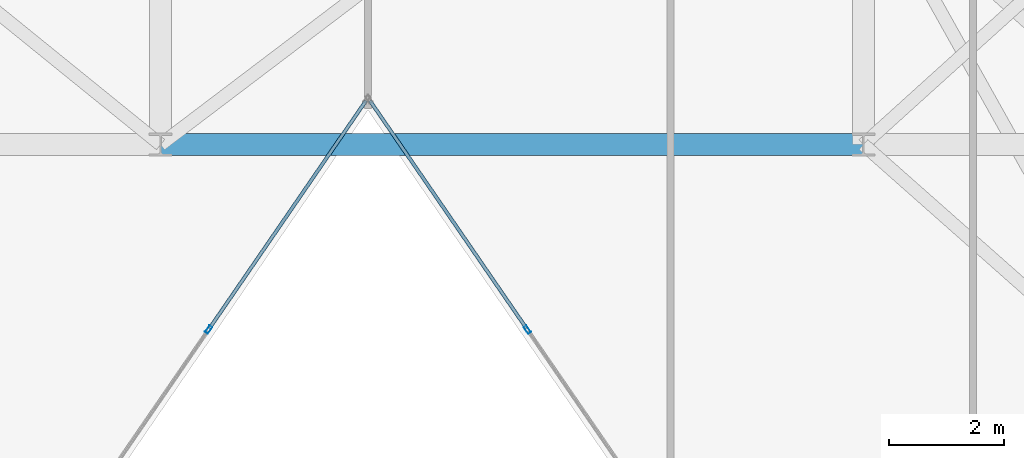
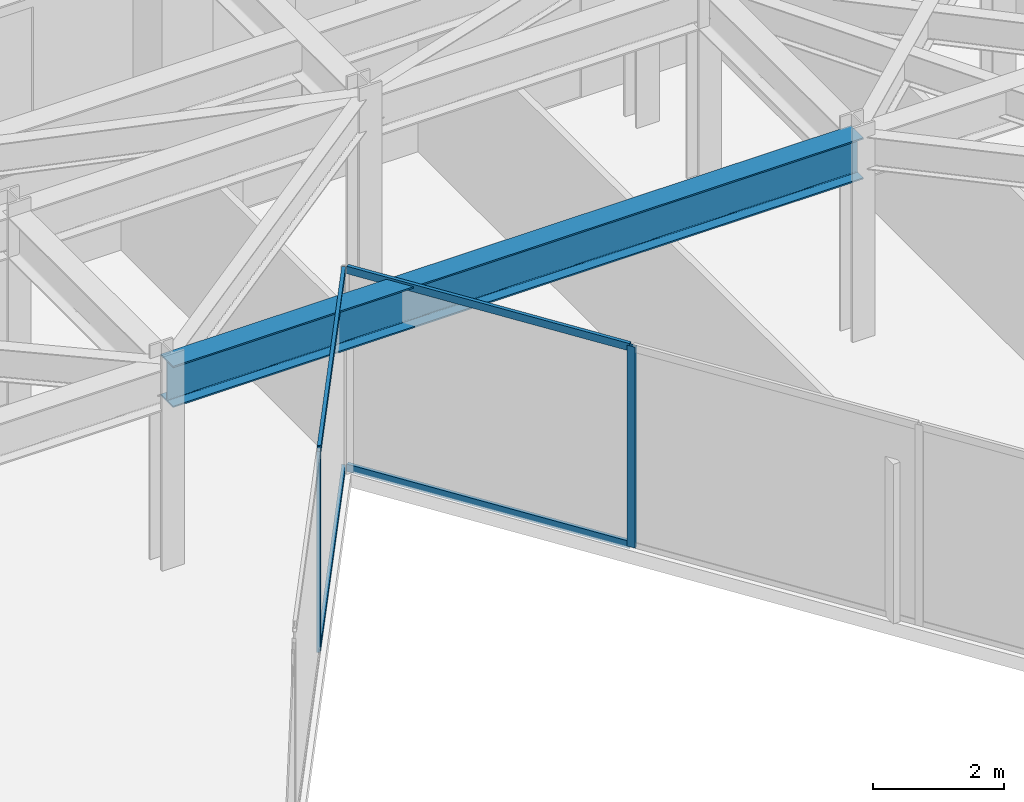
# One storey, part 6 of 21: 6 members, 1 beam, 2 elements without a shape of their own.
"""IFC4 building model written with IfcOpenShell, lengths in metres."""

from ifc_helpers import new_model, si_unit, direction, frame, origin, origin_2d, place, context, subcontext, project, spatial, hollow_rectangle, i_section, extrude, material, layer, layer_set, material_profile, profile_set, type_object, element, aggregate, save


model = new_model("IFC4")

# Units and contexts
model_context = context("Model", 3, precision=1e-05, world=origin(), true_north=direction((0.0, 1.0)))
body_context = subcontext(model_context, "Body", "Model", "MODEL_VIEW")
ifc_project = project(units=[si_unit("LENGTHUNIT", "METRE"), si_unit("AREAUNIT", "SQUARE_METRE"), si_unit("VOLUMEUNIT", "CUBIC_METRE"), si_unit("PLANEANGLEUNIT", "RADIAN"), si_unit("MASSUNIT", "GRAM", prefix="KILO")], contexts=[model_context])

# Site, building, storey
site_placement = place(None, origin())
site = spatial("IfcSite", under=ifc_project, at=site_placement, CompositionType="ELEMENT")
building_placement = place(site_placement, origin())
building = spatial("IfcBuilding", under=site, at=building_placement, Name="Kravanh Interchange Tower", CompositionType="ELEMENT")
storey_placement = place(building_placement, frame((0.0, 0.0, 200.5)))
storey = spatial("IfcBuildingStorey", under=building, at=storey_placement, Name="L48", CompositionType="ELEMENT", Elevation=200.5)

# Curtain wall, member
ifc_material_1 = material(Name="Anodised Bronze Aluminium", Category="aluminium")
ifc_layer = layer(ifc_material_1, 0.179931640625)
ifc_layer_set = layer_set([ifc_layer], Name="Unitised Curtain Wall System CW-Z3 Upper Office")
curtain_wall_type = type_object("IfcCurtainWallType", Name="Unitised Curtain Wall System CW-Z3 Upper Office", PredefinedType="NOTDEFINED", material=ifc_layer_set)
curtain_wall_1_placement = place(storey_placement, origin())
curtain_wall_1 = element("IfcCurtainWall", 1, at=curtain_wall_1_placement, inside=storey, type_object=curtain_wall_type, Name="L48 Unitised Curtain Wall CW-L48-03", PredefinedType="NOTDEFINED")
ifc_material_2 = material(Name="Anodised Bronze Aluminium", Category="aluminium")
ifc_material_profile_1 = material_profile(ifc_material_2, hollow_rectangle(XDim=0.06005859375, YDim=0.139892578125, WallThickness=0.00390625, at=origin_2d()), Name="ALU60X140X4")
ifc_profile_set_1 = profile_set([ifc_material_profile_1], Name="Anodised Bronze Aluminium")
member_type_1 = type_object("IfcMemberType", Name="Curtain Wall Mullion ALU60X140X4 Bronze", PredefinedType="MULLION", material=ifc_profile_set_1)
member_1_placement = place(storey_placement, frame((44.9658203125, 23.5888671875, 0.0), z_axis=(0.0, 0.0, 1.0), x_axis=(-0.824042223035, -0.566528388217, 0.0)))
member_1 = element("IfcMember", 2, at=member_1_placement, type_object=member_type_1, Name="CW-Z3 mullion 4", PredefinedType="MULLION", context=body_context, shape_type="SweptSolid", body=[
    extrude(hollow_rectangle(XDim=0.06005859375, YDim=0.139892578125, WallThickness=0.00390625, at=origin_2d()), origin(), (0.0, 0.0, 1.0), 3.7548828125),
])

curtain_wall_2_placement = place(storey_placement, origin())
curtain_wall_2 = element("IfcCurtainWall", 3, at=curtain_wall_2_placement, inside=storey, type_object=curtain_wall_type, Name="L48 Unitised Curtain Wall CW-L48-04", PredefinedType="NOTDEFINED")
member_2_placement = place(storey_placement, frame((39.434326171875, 23.5888671875, 0.0), z_axis=(0.0, 0.0, 1.0), x_axis=(0.824042223035, -0.566528388217, 0.0)))
member_2 = element("IfcMember", 4, at=member_2_placement, type_object=member_type_1, Name="CW-Z3 mullion 2", PredefinedType="MULLION", context=body_context, shape_type="SweptSolid", body=[
    extrude(hollow_rectangle(XDim=0.06005859375, YDim=0.139892578125, WallThickness=0.00390625, at=origin_2d()), origin(), (0.0, 0.0, 1.0), 3.7548828125),
])

# Member
ifc_material_3 = material(Name="Anodised Bronze Aluminium", Category="aluminium")
ifc_material_profile_2 = material_profile(ifc_material_3, hollow_rectangle(XDim=0.06005859375, YDim=0.139892578125, WallThickness=0.00390625, at=origin_2d()), Name="ALU60X140X4")
ifc_profile_set_2 = profile_set([ifc_material_profile_2], Name="Anodised Bronze Aluminium")
member_type_2 = type_object("IfcMemberType", Name="Curtain Wall Transom ALU60X140X4 Bronze", PredefinedType="USERDEFINED", material=ifc_profile_set_2)
member_3_placement = place(storey_placement, frame((44.94873046875, 23.613525390625, 0.030029296875), z_axis=(-0.566541796314, 0.824033004818, 0.0), x_axis=(-0.824033004818, -0.566541796314, 0.0)))
member_3 = element("IfcMember", 5, at=member_3_placement, type_object=member_type_2, Name="CW-Z3 transom 4.1", ObjectType="TRANSOM", PredefinedType="USERDEFINED", context=body_context, shape_type="SweptSolid", body=[
    extrude(hollow_rectangle(XDim=0.06005859375, YDim=0.139892578125, WallThickness=0.00390625, at=origin_2d()), origin(), (0.0, 0.0, 1.0), 4.7919921875),
])

member_4_placement = place(storey_placement, frame((44.94873046875, 23.613525390625, 3.72509765625), z_axis=(-0.566541796314, 0.824033004818, 0.0), x_axis=(-0.824033004818, -0.566541796314, 0.0)))
member_4 = element("IfcMember", 6, at=member_4_placement, type_object=member_type_2, Name="CW-Z3 transom 4.2", ObjectType="TRANSOM", PredefinedType="USERDEFINED", context=body_context, shape_type="SweptSolid", body=[
    extrude(hollow_rectangle(XDim=0.06005859375, YDim=0.139892578125, WallThickness=0.00390625, at=origin_2d()), origin(), (0.0, 0.0, 1.0), 4.7919921875),
])

aggregate(curtain_wall_1, [member_1, member_3, member_4])

member_5_placement = place(storey_placement, frame((42.166015625, 27.562255859375, 0.030029296875), z_axis=(-0.566541796314, -0.824033004818, 0.0), x_axis=(0.824033004818, -0.566541796314, 0.0)))
member_5 = element("IfcMember", 7, at=member_5_placement, type_object=member_type_2, Name="CW-Z3 transom 1.1", ObjectType="TRANSOM", PredefinedType="USERDEFINED", context=body_context, shape_type="SweptSolid", body=[
    extrude(hollow_rectangle(XDim=0.06005859375, YDim=0.139892578125, WallThickness=0.00390625, at=origin_2d()), origin(), (0.0, 0.0, 1.0), 4.7919921875),
])

member_6_placement = place(storey_placement, frame((42.166015625, 27.562255859375, 3.72509765625), z_axis=(-0.566541796314, -0.824033004818, 0.0), x_axis=(0.824033004818, -0.566541796314, 0.0)))
member_6 = element("IfcMember", 8, at=member_6_placement, type_object=member_type_2, Name="CW-Z3 transom 1.2", ObjectType="TRANSOM", PredefinedType="USERDEFINED", context=body_context, shape_type="SweptSolid", body=[
    extrude(hollow_rectangle(XDim=0.06005859375, YDim=0.139892578125, WallThickness=0.00390625, at=origin_2d()), origin(), (0.0, 0.0, 1.0), 4.7919921875),
])

aggregate(curtain_wall_2, [member_2, member_5, member_6])

# Beam
ifc_material_4 = material(Name="Structural Steel S355", Category="steel")
ifc_material_profile_3 = material_profile(ifc_material_4, i_section(OverallWidth=0.381103515625, OverallDepth=0.77294921875, WebThickness=0.0166015625, FlangeThickness=0.027099609375, FilletRadius=0.02490234375, at=origin_2d()), Name="W30X173")
ifc_profile_set_3 = profile_set([ifc_material_profile_3], Name="Structural Steel S355")
beam_type = type_object("IfcBeamType", Name="Floor Beam W30X173 Structural Steel S355", PredefinedType="BEAM", material=ifc_profile_set_3)
beam_placement = place(storey_placement, frame((38.60009765625, 26.800048828125, 3.368408203125), z_axis=(1.0, 0.0, 0.0), x_axis=(0.0, 1.0, 0.0)))
element("IfcBeam", 9, at=beam_placement, inside=storey, type_object=beam_type, Name="L48 Primary Floor Girder 48", PredefinedType="BEAM", context=body_context, shape_type="SweptSolid", body=[
    extrude(i_section(OverallWidth=0.381103515625, OverallDepth=0.77294921875, WebThickness=0.0166015625, FlangeThickness=0.027099609375, FilletRadius=0.02490234375, at=origin_2d()), origin(), (0.0, 0.0, 1.0), 12.199951171875),
])

save(model, "model.ifc")
